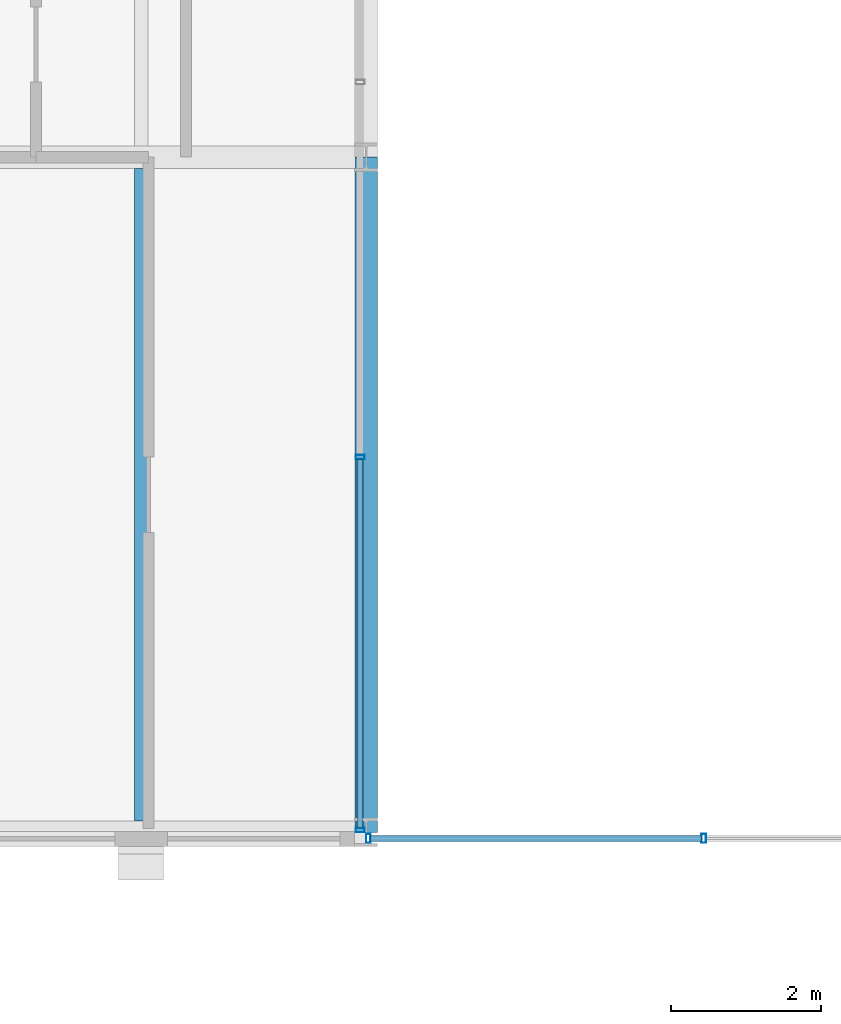
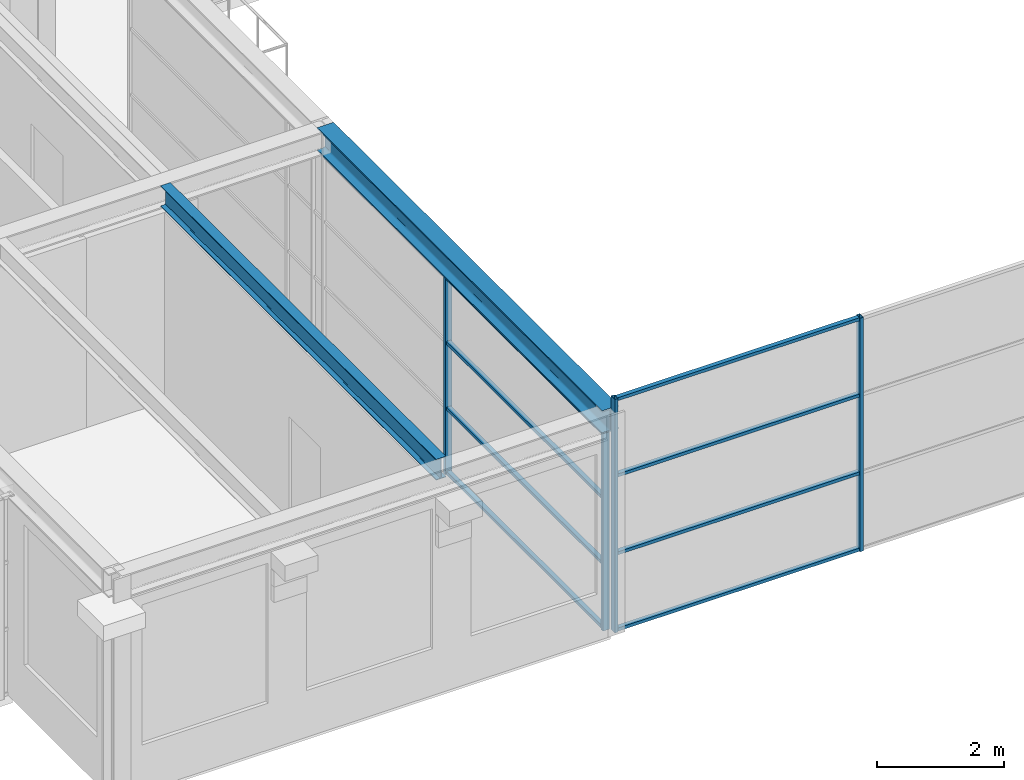
# One storey, part 20 of 111: 12 members, 2 beams, 2 elements without a shape of their own.
"""IFC4 building model written with IfcOpenShell, lengths in metres."""

from ifc_helpers import new_model, si_unit, direction, frame, origin, origin_2d, place, context, subcontext, project, spatial, hollow_rectangle, i_section, extrude, material, material_profile, profile_set, type_object, element, aggregate, save


model = new_model("IFC4")

# Units and contexts
model_context = context("Model", 3, precision=1e-05, world=origin(), true_north=direction((0.0, 1.0)))
body_context = subcontext(model_context, "Body", "Model", "MODEL_VIEW")
ifc_project = project(units=[si_unit("LENGTHUNIT", "METRE"), si_unit("AREAUNIT", "SQUARE_METRE"), si_unit("VOLUMEUNIT", "CUBIC_METRE"), si_unit("PLANEANGLEUNIT", "RADIAN"), si_unit("MASSUNIT", "GRAM", prefix="KILO")], contexts=[model_context])

# Site, building, storey
site_placement = place(None, origin())
site = spatial("IfcSite", under=ifc_project, at=site_placement, CompositionType="ELEMENT")
building_placement = place(site_placement, origin())
building = spatial("IfcBuilding", under=site, at=building_placement, Name="Kallimachos Central Library", CompositionType="ELEMENT")
storey_placement = place(building_placement, frame((0.0, 0.0, 14.39990234375)))
storey = spatial("IfcBuildingStorey", under=building, at=storey_placement, Name="L03", CompositionType="ELEMENT", Elevation=14.39990234375)

# Curtain wall, members
ifc_material_1 = material(Name="Aluminium and laminated glass", Category="aluminium")
curtain_wall_type = type_object("IfcCurtainWallType", Name="Atrium glazed screen", PredefinedType="NOTDEFINED", material=ifc_material_1)
curtain_wall_1_placement = place(storey_placement, origin())
curtain_wall_1 = element("IfcCurtainWall", 1, at=curtain_wall_1_placement, inside=storey, type_object=curtain_wall_type, Name="L03 atrium screen S", PredefinedType="NOTDEFINED")
ifc_material_2 = material(Name="Anodised aluminium", Category="aluminium")
ifc_material_profile_1 = material_profile(ifc_material_2, hollow_rectangle(XDim=0.06005859375, YDim=0.1201171875, WallThickness=0.00390625, at=origin_2d()), Name="ALU MULLION 60x120")
ifc_profile_set_1 = profile_set([ifc_material_profile_1], Name="Anodised aluminium")
member_type_1 = type_object("IfcMemberType", Name="Atrium screen mullion", PredefinedType="MULLION", material=ifc_profile_set_1)
member_1_placement = place(storey_placement, frame((74.530029296875, 56.919921875, 0.0), z_axis=(0.0, 0.0, 1.0), x_axis=(1.0, 0.0, 0.0)))
member_1 = element("IfcMember", 2, at=member_1_placement, type_object=member_type_1, Name="CW mullion 1", PredefinedType="MULLION", context=body_context, shape_type="SweptSolid", body=[
    extrude(hollow_rectangle(XDim=0.06005859375, YDim=0.1201171875, WallThickness=0.00390625, at=origin_2d()), origin(), (0.0, 0.0, 1.0), 4.5),
])
member_2_placement = place(storey_placement, frame((79.0, 56.919921875, 0.0), z_axis=(0.0, 0.0, 1.0), x_axis=(1.0, 0.0, 0.0)))
member_2 = element("IfcMember", 3, at=member_2_placement, type_object=member_type_1, Name="CW mullion 2", PredefinedType="MULLION", context=body_context, shape_type="SweptSolid", body=[
    extrude(hollow_rectangle(XDim=0.06005859375, YDim=0.1201171875, WallThickness=0.00390625, at=origin_2d()), origin(), (0.0, 0.0, 1.0), 4.5),
])

curtain_wall_2_placement = place(storey_placement, origin())
curtain_wall_2 = element("IfcCurtainWall", 4, at=curtain_wall_2_placement, inside=storey, type_object=curtain_wall_type, Name="L03 atrium screen W", PredefinedType="NOTDEFINED")
member_3_placement = place(storey_placement, frame((74.419921875, 57.030029296875, 0.0), z_axis=(0.0, 0.0, 1.0), x_axis=(0.0, 1.0, 0.0)))
member_3 = element("IfcMember", 5, at=member_3_placement, type_object=member_type_1, Name="CW mullion 1", PredefinedType="MULLION", context=body_context, shape_type="SweptSolid", body=[
    extrude(hollow_rectangle(XDim=0.06005859375, YDim=0.1201171875, WallThickness=0.00390625, at=origin_2d()), origin(), (0.0, 0.0, 1.0), 3.800048828125),
])
member_4_placement = place(storey_placement, frame((74.419921875, 62.0, 0.0), z_axis=(0.0, 0.0, 1.0), x_axis=(0.0, 1.0, 0.0)))
member_4 = element("IfcMember", 6, at=member_4_placement, type_object=member_type_1, Name="CW mullion 2", PredefinedType="MULLION", context=body_context, shape_type="SweptSolid", body=[
    extrude(hollow_rectangle(XDim=0.06005859375, YDim=0.1201171875, WallThickness=0.00390625, at=origin_2d()), origin(), (0.0, 0.0, 1.0), 3.800048828125),
])

# Member
ifc_material_3 = material(Name="Anodised aluminium", Category="aluminium")
ifc_material_profile_2 = material_profile(ifc_material_3, hollow_rectangle(XDim=0.06005859375, YDim=0.080078125, WallThickness=0.00390625, at=origin_2d()), Name="ALU TRANSOM 60x80")
ifc_profile_set_2 = profile_set([ifc_material_profile_2], Name="Anodised aluminium")
member_type_2 = type_object("IfcMemberType", Name="Atrium screen transom", PredefinedType="USERDEFINED", material=ifc_profile_set_2)
member_5_placement = place(storey_placement, frame((74.56005859375, 56.919921875, 0.030029296875), z_axis=(1.0, 0.0, 0.0), x_axis=(0.0, 0.0, 1.0)))
member_5 = element("IfcMember", 7, at=member_5_placement, type_object=member_type_2, Name="CW transom 1.1", ObjectType="TRANSOM", PredefinedType="USERDEFINED", context=body_context, shape_type="SweptSolid", body=[
    extrude(hollow_rectangle(XDim=0.06005859375, YDim=0.080078125, WallThickness=0.00390625, at=origin_2d()), origin(), (0.0, 0.0, 1.0), 4.409912109375),
])

member_6_placement = place(storey_placement, frame((74.56005859375, 56.919921875, 1.5), z_axis=(1.0, 0.0, 0.0), x_axis=(0.0, 0.0, 1.0)))
member_6 = element("IfcMember", 8, at=member_6_placement, type_object=member_type_2, Name="CW transom 1.2", ObjectType="TRANSOM", PredefinedType="USERDEFINED", context=body_context, shape_type="SweptSolid", body=[
    extrude(hollow_rectangle(XDim=0.06005859375, YDim=0.080078125, WallThickness=0.00390625, at=origin_2d()), origin(), (0.0, 0.0, 1.0), 4.409912109375),
])

member_7_placement = place(storey_placement, frame((74.56005859375, 56.919921875, 3.0), z_axis=(1.0, 0.0, 0.0), x_axis=(0.0, 0.0, 1.0)))
member_7 = element("IfcMember", 9, at=member_7_placement, type_object=member_type_2, Name="CW transom 1.3", ObjectType="TRANSOM", PredefinedType="USERDEFINED", context=body_context, shape_type="SweptSolid", body=[
    extrude(hollow_rectangle(XDim=0.06005859375, YDim=0.080078125, WallThickness=0.00390625, at=origin_2d()), origin(), (0.0, 0.0, 1.0), 4.409912109375),
])

member_8_placement = place(storey_placement, frame((74.56005859375, 56.919921875, 4.47021484375), z_axis=(1.0, 0.0, 0.0), x_axis=(0.0, 0.0, 1.0)))
member_8 = element("IfcMember", 10, at=member_8_placement, type_object=member_type_2, Name="CW transom 1.4", ObjectType="TRANSOM", PredefinedType="USERDEFINED", context=body_context, shape_type="SweptSolid", body=[
    extrude(hollow_rectangle(XDim=0.06005859375, YDim=0.080078125, WallThickness=0.00390625, at=origin_2d()), origin(), (0.0, 0.0, 1.0), 4.409912109375),
])

aggregate(curtain_wall_1, [member_1, member_2, member_5, member_6, member_7, member_8])

member_9_placement = place(storey_placement, frame((74.419921875, 57.06005859375, 0.030029296875), z_axis=(0.0, 1.0, 0.0), x_axis=(0.0, 0.0, 1.0)))
member_9 = element("IfcMember", 11, at=member_9_placement, type_object=member_type_2, Name="CW transom 1.1", ObjectType="TRANSOM", PredefinedType="USERDEFINED", context=body_context, shape_type="SweptSolid", body=[
    extrude(hollow_rectangle(XDim=0.06005859375, YDim=0.080078125, WallThickness=0.00390625, at=origin_2d()), origin(), (0.0, 0.0, 1.0), 4.909912109375),
])

member_10_placement = place(storey_placement, frame((74.419921875, 57.06005859375, 1.266845703125), z_axis=(0.0, 1.0, 0.0), x_axis=(0.0, 0.0, 1.0)))
member_10 = element("IfcMember", 12, at=member_10_placement, type_object=member_type_2, Name="CW transom 1.2", ObjectType="TRANSOM", PredefinedType="USERDEFINED", context=body_context, shape_type="SweptSolid", body=[
    extrude(hollow_rectangle(XDim=0.06005859375, YDim=0.080078125, WallThickness=0.00390625, at=origin_2d()), origin(), (0.0, 0.0, 1.0), 4.909912109375),
])

member_11_placement = place(storey_placement, frame((74.419921875, 57.06005859375, 2.533447265625), z_axis=(0.0, 1.0, 0.0), x_axis=(0.0, 0.0, 1.0)))
member_11 = element("IfcMember", 13, at=member_11_placement, type_object=member_type_2, Name="CW transom 1.3", ObjectType="TRANSOM", PredefinedType="USERDEFINED", context=body_context, shape_type="SweptSolid", body=[
    extrude(hollow_rectangle(XDim=0.06005859375, YDim=0.080078125, WallThickness=0.00390625, at=origin_2d()), origin(), (0.0, 0.0, 1.0), 4.909912109375),
])

member_12_placement = place(storey_placement, frame((74.419921875, 57.06005859375, 3.77001953125), z_axis=(0.0, 1.0, 0.0), x_axis=(0.0, 0.0, 1.0)))
member_12 = element("IfcMember", 14, at=member_12_placement, type_object=member_type_2, Name="CW transom 1.4", ObjectType="TRANSOM", PredefinedType="USERDEFINED", context=body_context, shape_type="SweptSolid", body=[
    extrude(hollow_rectangle(XDim=0.06005859375, YDim=0.080078125, WallThickness=0.00390625, at=origin_2d()), origin(), (0.0, 0.0, 1.0), 4.909912109375),
])

aggregate(curtain_wall_2, [member_3, member_4, member_9, member_10, member_11, member_12])

# Beams
ifc_material_4 = material(Name="Steel S355J2", Category="steel")
ifc_material_profile_3 = material_profile(ifc_material_4, i_section(OverallWidth=0.300048828125, OverallDepth=0.449951171875, WebThickness=0.013916015625, FlangeThickness=0.02587890625, FilletRadius=0.027099609375, at=origin_2d()), Name="HEB 450")
ifc_profile_set_3 = profile_set([ifc_material_profile_3], Name="Steel S355J2")
beam_type_1 = type_object("IfcBeamType", Name="HEB 450 beam", PredefinedType="BEAM", material=ifc_profile_set_3)
beam_1_placement = place(storey_placement, frame((74.5, 57.0, 4.025146484375), z_axis=(0.0, 1.0, 0.0), x_axis=(-1.0, 0.0, 0.0)))
element("IfcBeam", 15, at=beam_1_placement, inside=storey, type_object=beam_type_1, Name="V4-BEM-L03-025", PredefinedType="BEAM", context=body_context, shape_type="SweptSolid", body=[
    extrude(i_section(OverallWidth=0.300048828125, OverallDepth=0.449951171875, WebThickness=0.013916015625, FlangeThickness=0.02587890625, FilletRadius=0.027099609375, at=origin_2d()), origin(), (0.0, 0.0, 1.0), 9.0),
])
ifc_material_5 = material(Name="Steel S355J2", Category="steel")
ifc_material_profile_4 = material_profile(ifc_material_5, i_section(OverallWidth=0.179931640625, OverallDepth=0.39990234375, WebThickness=0.008544921875, FlangeThickness=0.013427734375, FilletRadius=0.02099609375, at=origin_2d()), Name="IPE 400")
ifc_profile_set_4 = profile_set([ifc_material_profile_4], Name="Steel S355J2")
beam_type_2 = type_object("IfcBeamType", Name="IPE 400 beam", PredefinedType="BEAM", material=ifc_profile_set_4)
beam_2_placement = place(storey_placement, frame((71.5, 57.14990234375, 4.050048828125), z_axis=(0.0, 1.0, 0.0), x_axis=(-1.0, 0.0, 0.0)))
element("IfcBeam", 16, at=beam_2_placement, inside=storey, type_object=beam_type_2, Name="V4-BEM-L03-028", PredefinedType="BEAM", context=body_context, shape_type="SweptSolid", body=[
    extrude(i_section(OverallWidth=0.179931640625, OverallDepth=0.39990234375, WebThickness=0.008544921875, FlangeThickness=0.013427734375, FilletRadius=0.02099609375, at=origin_2d()), origin(), (0.0, 0.0, 1.0), 8.7001953125),
])

save(model, "model.ifc")
